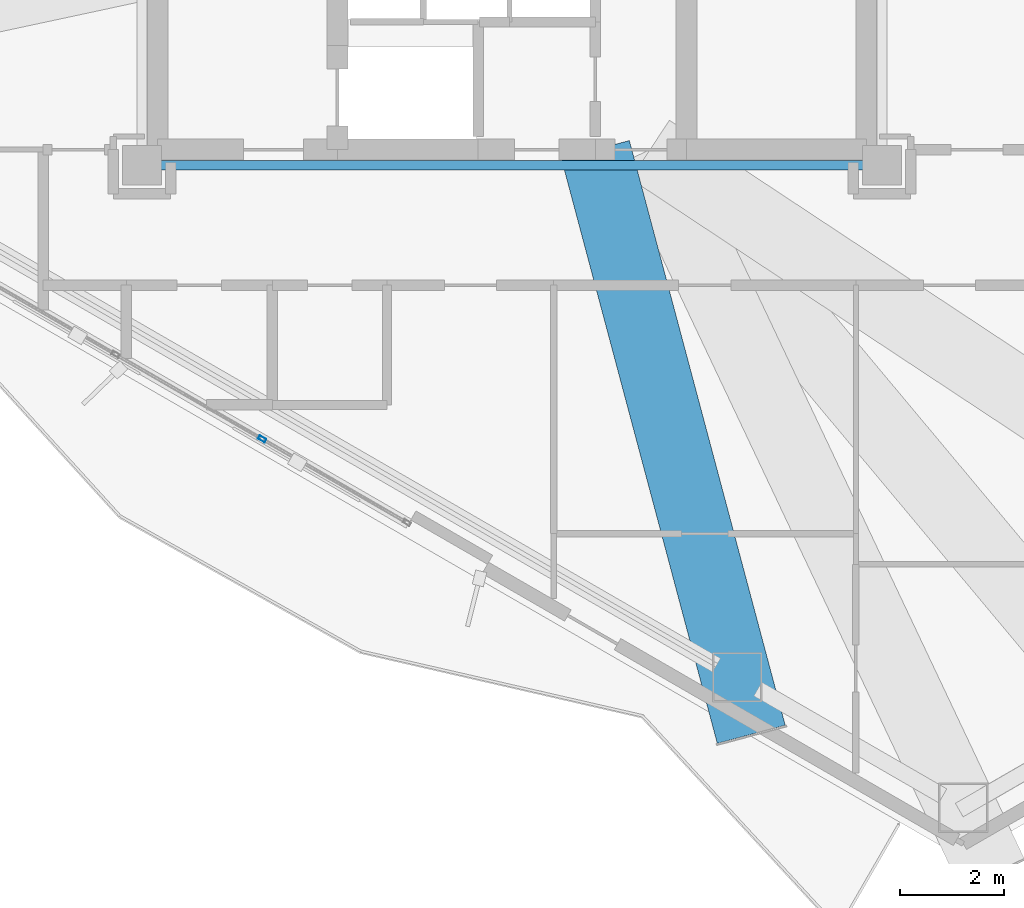
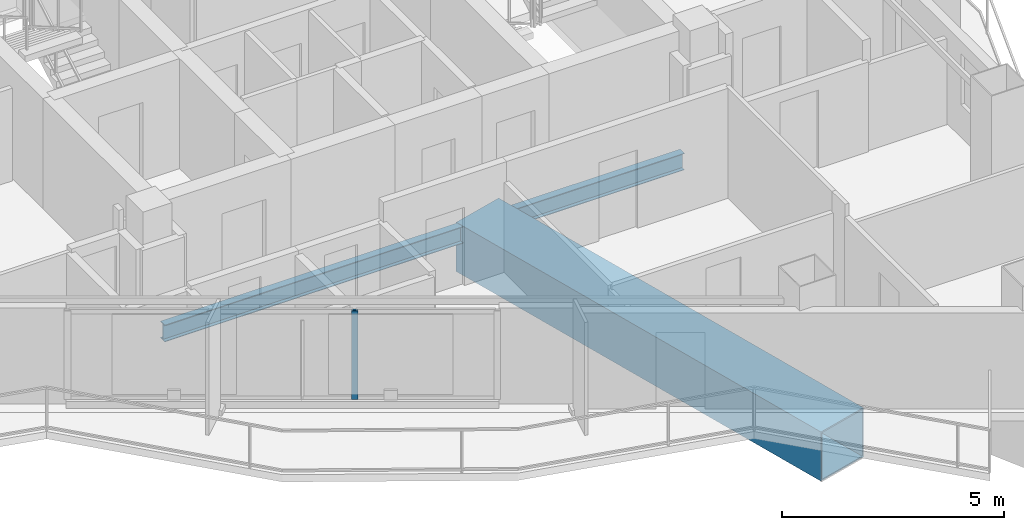
# One storey, part 6 of 22: 2 beams, 1 member, 1 element without a shape of its own.
"""IFC4 building model written with IfcOpenShell, lengths in metres."""

import ifcopenshell
import ifcopenshell.guid

model = None  # the IFC model being written
_history = None  # IfcOwnerHistory: only IFC2X3 demands one
_inside = {}  # id of a spatial element -> (the spatial element, [elements in it])
_under = {}  # id of a project, library or spatial element -> (it, [spatial elements below it])
_declared = {}  # id of a project -> (the project, [libraries it declares])
_typed = {}  # id of a type object -> (the type object, [elements of that type])
_made_of = {}  # id of a material, layer set ... -> (it, [elements and type objects made of it])


def new_model(schema):
    """Start an empty IFC model of exactly this schema.

    Asked for "IFC4X3", IfcOpenShell would pick the latest addendum, in which some entities
    have other attributes; the version numbers below select the first issue.
    IFC2X3 requires an IfcOwnerHistory on every rooted entity: one is made here for all.
    """
    global model, _history
    if schema == "IFC4X3":
        model = ifcopenshell.file(schema_version=(4, 3, 0, 0))
    else:
        model = ifcopenshell.file(schema=schema)
    _inside.clear()
    _under.clear()
    _declared.clear()
    _typed.clear()
    _made_of.clear()
    _history = None
    if model.schema == "IFC2X3":
        org = make("IfcOrganization", Name="unknown")
        user = make(
            "IfcPersonAndOrganization",
            ThePerson=make("IfcPerson", FamilyName="unknown"),
            TheOrganization=org,
        )
        app = make(
            "IfcApplication",
            ApplicationDeveloper=org,
            Version="unknown",
            ApplicationFullName="unknown",
            ApplicationIdentifier="unknown",
        )
        _history = make(
            "IfcOwnerHistory",
            OwningUser=user,
            OwningApplication=app,
            ChangeAction="ADDED",
            CreationDate=0,
        )
    return model


def make(cls, **values):
    """One entity of the class cls with the attributes given. An attribute that is None is left unset."""
    return model.create_entity(
        cls, **{name: value for name, value in values.items() if value is not None}
    )


def rooted(cls, **values):
    """An entity with a GlobalId (a new one), such as an element, a storey or a relation."""
    return make(cls, GlobalId=ifcopenshell.guid.new(), OwnerHistory=_history, **values)


def si_unit(unit_type, name, prefix=None):
    """IfcSIUnit, for example si_unit("LENGTHUNIT", "METRE", prefix="MILLI")."""
    return make("IfcSIUnit", UnitType=unit_type, Prefix=prefix, Name=name)


def assignment(units):
    """IfcUnitAssignment: the units of a project."""
    return None if units is None else make("IfcUnitAssignment", Units=units)


def point(xyz):
    """IfcCartesianPoint."""
    return None if xyz is None else make("IfcCartesianPoint", Coordinates=xyz)


def direction(xyz):
    """IfcDirection."""
    return None if xyz is None else make("IfcDirection", DirectionRatios=xyz)


def frame(location, z_axis=None, x_axis=None):
    """IfcAxis2Placement3D, a coordinate frame: its origin and axes. An axis left out is left unset."""
    return make(
        "IfcAxis2Placement3D",
        Location=point(location),
        Axis=direction(z_axis),
        RefDirection=direction(x_axis),
    )


def frame_2d(location, x_axis=None):
    """IfcAxis2Placement2D, a coordinate frame in the plane: its origin and x axis."""
    return make(
        "IfcAxis2Placement2D", Location=point(location), RefDirection=direction(x_axis)
    )


def origin():
    """The frame at (0, 0, 0) with its axes left unset."""
    return frame((0.0, 0.0, 0.0))


def origin_2d():
    """The frame at (0, 0) in the plane with its x axis left unset."""
    return frame_2d((0.0, 0.0))


def place(relative_to, where):
    """IfcLocalPlacement: puts the frame where relative to a parent placement (None: the world)."""
    return make(
        "IfcLocalPlacement", PlacementRelTo=relative_to, RelativePlacement=where
    )


def context(
    kind, dimensions, precision=None, world=None, true_north=None, identifier=None
):
    """IfcGeometricRepresentationContext, for example the 3D "Model" context."""
    return make(
        "IfcGeometricRepresentationContext",
        ContextIdentifier=identifier,
        ContextType=kind,
        CoordinateSpaceDimension=dimensions,
        Precision=precision,
        WorldCoordinateSystem=world,
        TrueNorth=true_north,
    )


def subcontext(parent, identifier, kind, view, scale=None):
    """IfcGeometricRepresentationSubContext, for example "Body" below "Model"."""
    return make(
        "IfcGeometricRepresentationSubContext",
        ContextIdentifier=identifier,
        ContextType=kind,
        ParentContext=parent,
        TargetScale=scale,
        TargetView=view,
    )


def project(units=None, contexts=None):
    """IfcProject with its units and contexts."""
    return rooted(
        "IfcProject",
        Name="project",
        RepresentationContexts=contexts,
        UnitsInContext=assignment(units),
    )


def spatial(cls, under=None, at=None, **own):
    """A site, building, storey or space (cls), placed at a placement, below another one or the project."""
    s = rooted(cls, ObjectPlacement=at, **own)
    if under is not None:
        _under.setdefault(under.id(), (under, []))[1].append(s)
    return s


def profile(cls, at=None, kind="AREA", **sizes):
    """A parametric profile (cls). Its sizes go by their IFC names, for example OverallWidth=200.0."""
    return make(cls, ProfileType=kind, Position=at, **sizes)


def hollow_rectangle(**sizes):
    """IfcRectangleHollowProfileDef."""
    return profile("IfcRectangleHollowProfileDef", **sizes)


def i_section(**sizes):
    """IfcIShapeProfileDef."""
    return profile("IfcIShapeProfileDef", **sizes)


def extrude(swept, where, along, depth):
    """IfcExtrudedAreaSolid: the profile swept, set in the frame where, extruded along a direction by depth."""
    return make(
        "IfcExtrudedAreaSolid",
        SweptArea=swept,
        Position=where,
        ExtrudedDirection=direction(along),
        Depth=depth,
    )


def shape(context_of_items, identifier, shape_type, items):
    """IfcShapeRepresentation: the items that make up one representation, for example the "Body"."""
    return make(
        "IfcShapeRepresentation",
        ContextOfItems=context_of_items,
        RepresentationIdentifier=identifier,
        RepresentationType=shape_type,
        Items=items,
    )


def material(Name=None, Category=None):
    """IfcMaterial."""
    return make("IfcMaterial", Name=Name, Category=Category)


def layer(
    of_material, thickness, ventilated=None, Name=None, Category=None, Priority=None
):
    """IfcMaterialLayer: one layer of a wall or slab, of a material (None: an air gap)."""
    return make(
        "IfcMaterialLayer",
        Material=of_material,
        LayerThickness=thickness,
        IsVentilated=ventilated,
        Name=Name,
        Category=Category,
        Priority=Priority,
    )


def layer_set(layers, Name=None):
    """IfcMaterialLayerSet."""
    return make("IfcMaterialLayerSet", MaterialLayers=layers, LayerSetName=Name)


def material_profile(
    of_material, cross_section, Name=None, Category=None, Priority=None
):
    """IfcMaterialProfile: a cross section and its material."""
    return make(
        "IfcMaterialProfile",
        Name=Name,
        Material=of_material,
        Profile=cross_section,
        Priority=Priority,
        Category=Category,
    )


def profile_set(profiles, Name=None, composite=None):
    """IfcMaterialProfileSet."""
    return make(
        "IfcMaterialProfileSet",
        Name=Name,
        MaterialProfiles=profiles,
        CompositeProfile=composite,
    )


def made_of(thing, what):
    """Note that an element or type object is made of a material, layer set ...; save() writes the relation."""
    if what is not None:
        _made_of.setdefault(what.id(), (what, []))[1].append(thing)
    return thing


def type_object(cls, material=None, **own):
    """A type object (cls), such as IfcWallType, which elements share."""
    return made_of(rooted(cls, **own), material)


def element(
    cls,
    number,
    at=None,
    inside=None,
    cuts=None,
    type_object=None,
    material=None,
    context=None,
    identifier="Body",
    shape_type=None,
    held_by="IfcProductDefinitionShape",
    body=None,
    shapes=None,
    **own,
):
    """One element of the class cls, such as IfcWall. Its Tag is "e" and its number.

    at: its placement. inside: the storey or other place that contains it. cuts: it is an
    opening in that element (IfcRelVoidsElement). A single representation is given by context,
    identifier, shape_type and body (its items); several are given by shapes. held_by: the class
    of the entity that holds the representations. save() writes the other relations.
    """
    e = rooted(cls, Tag="e%d" % number, ObjectPlacement=at, **own)
    if body is not None:
        shapes = [shape(context, identifier, shape_type, body)]
    if shapes is not None:
        e.Representation = make(held_by, Representations=shapes)
    if inside is not None:
        _inside.setdefault(inside.id(), (inside, []))[1].append(e)
    if cuts is not None:
        rooted(
            "IfcRelVoidsElement", RelatingBuildingElement=cuts, RelatedOpeningElement=e
        )
    if type_object is not None:
        _typed.setdefault(type_object.id(), (type_object, []))[1].append(e)
    return made_of(e, material)


def aggregate(whole, parts):
    """IfcRelAggregates: a whole, such as a stair, and the parts it consists of."""
    return rooted("IfcRelAggregates", RelatingObject=whole, RelatedObjects=parts)


def save(model, path):
    """Write the relations noted so far, then the file.

    IfcRelAggregates (storeys below a building ...), IfcRelContainedInSpatialStructure (elements
    in a storey), IfcRelDefinesByType, IfcRelAssociatesMaterial and IfcRelDeclares: one each for
    every whole, place, type object, material and project.
    """
    for whole, parts in _under.values():
        aggregate(whole, parts)
    for where, things in _inside.values():
        rooted(
            "IfcRelContainedInSpatialStructure",
            RelatedElements=things,
            RelatingStructure=where,
        )
    for kind, things in _typed.values():
        rooted("IfcRelDefinesByType", RelatedObjects=things, RelatingType=kind)
    for what, things in _made_of.values():
        rooted("IfcRelAssociatesMaterial", RelatedObjects=things, RelatingMaterial=what)
    for by, libraries in _declared.values():
        rooted("IfcRelDeclares", RelatingContext=by, RelatedDefinitions=libraries)
    model.write(path)


model = new_model("IFC4")

# Units and contexts
model_context = context("Model", 3, precision=1e-05, world=origin(), true_north=direction((0.0, 1.0)))
body_context = subcontext(model_context, "Body", "Model", "MODEL_VIEW")
ifc_project = project(units=[si_unit("LENGTHUNIT", "METRE"), si_unit("AREAUNIT", "SQUARE_METRE"), si_unit("VOLUMEUNIT", "CUBIC_METRE"), si_unit("PLANEANGLEUNIT", "RADIAN"), si_unit("MASSUNIT", "GRAM", prefix="KILO")], contexts=[model_context])

# Site, building, storey
site_placement = place(None, origin())
site = spatial("IfcSite", under=ifc_project, at=site_placement, CompositionType="ELEMENT")
building_placement = place(site_placement, origin())
building = spatial("IfcBuilding", under=site, at=building_placement, Name="Mersakhor Tower and Convention Hall", CompositionType="ELEMENT")
storey_placement = place(building_placement, frame((0.0, 0.0, 167.39990234375)))
storey = spatial("IfcBuildingStorey", under=building, at=storey_placement, Name="L46", CompositionType="ELEMENT", Elevation=167.39990234375)

# Beams
ifc_material_1 = material(Name="Steel S355", Category="steel")
ifc_material_profile_1 = material_profile(ifc_material_1, i_section(OverallWidth=0.19140625, OverallDepth=0.4599609375, WebThickness=0.010009765625, FlangeThickness=0.01611328125, at=origin_2d()), Name="UB 457x191x82")
ifc_profile_set_1 = profile_set([ifc_material_profile_1], Name="Steel S355")
beam_type_1 = type_object("IfcBeamType", Name="BM-FB-457", PredefinedType="BEAM", material=ifc_profile_set_1)
beam_1_placement = place(storey_placement, frame((35.7451171875, 20.449951171875, -0.4599609375), z_axis=(-1.0, 0.0, 0.0), x_axis=(0.0, -1.0, 0.0)))
element("IfcBeam", 1, at=beam_1_placement, inside=storey, type_object=beam_type_1, Name="L46 Core Ring Tie Beam CRB-4", PredefinedType="BEAM", context=body_context, shape_type="SweptSolid", body=[
    extrude(i_section(OverallWidth=0.19140625, OverallDepth=0.4599609375, WebThickness=0.010009765625, FlangeThickness=0.01611328125, at=origin_2d()), origin(), (0.0, 0.0, 1.0), 13.490234375),
])
ifc_material_2 = material(Name="Steel S460", Category="steel")
ifc_material_profile_2 = material_profile(ifc_material_2, hollow_rectangle(XDim=1.35009765625, YDim=1.35009765625, WallThickness=0.035888671875, at=origin_2d()), Name="SHS 1350x1350x36")
ifc_profile_set_2 = profile_set([ifc_material_profile_2], Name="Steel S460")
beam_type_2 = type_object("IfcBeamType", Name="BM-TR-BOX1350", PredefinedType="BEAM", material=ifc_profile_set_2)
beam_2_placement = place(storey_placement, frame((33.592529296875, 9.527099609375, -0.90478515625), z_axis=(-0.257654801014, 0.966237032779, 0.0), x_axis=(-0.966237032779, -0.257654801014, 0.0)))
element("IfcBeam", 2, at=beam_2_placement, inside=storey, type_object=beam_type_2, Name="L46 Taper Step Transfer Girder STG-10", PredefinedType="BEAM", context=body_context, shape_type="SweptSolid", body=[
    extrude(hollow_rectangle(XDim=1.35009765625, YDim=1.35009765625, WallThickness=0.035888671875, at=origin_2d()), origin(), (0.0, 0.0, 1.0), 11.614990234375),
])

# Curtain wall, member
ifc_material_3 = material(Name="Dark solar low-E aluminium curtain wall", Category="aluminium")
ifc_layer = layer(ifc_material_3, 0.169921875)
ifc_layer_set = layer_set([ifc_layer], Name="Dark solar low-E aluminium curtain wall")
curtain_wall_type = type_object("IfcCurtainWallType", Name="CW-SYS-02", PredefinedType="USERDEFINED", material=ifc_layer_set)
curtain_wall_placement = place(storey_placement, origin())
curtain_wall = element("IfcCurtainWall", 3, at=curtain_wall_placement, inside=storey, type_object=curtain_wall_type, Name="L46 Dark-Glass Curtain Wall F3-B2", ObjectType="CURTAIN WALL", PredefinedType="USERDEFINED")
ifc_material_4 = material(Name="Anodised aluminium EN AW-6063 T6", Category="aluminium")
ifc_material_profile_3 = material_profile(ifc_material_4, hollow_rectangle(XDim=0.074951171875, YDim=0.14990234375, WallThickness=0.00634765625, at=origin_2d()), Name="RHS 150x75x6.3")
ifc_profile_set_3 = profile_set([ifc_material_profile_3], Name="Anodised aluminium EN AW-6063 T6")
member_type = type_object("IfcMemberType", Name="CWM-150x75", PredefinedType="MULLION", material=ifc_profile_set_3)
member_placement = place(storey_placement, frame((24.204345703125, 15.196044921875, 0.2001953125), z_axis=(0.0, 0.0, 1.0), x_axis=(-0.499998484116, -0.866026278978, 0.0)))
member = element("IfcMember", 4, at=member_placement, type_object=member_type, Name="CW-02 mullion 2", PredefinedType="MULLION", context=body_context, shape_type="SweptSolid", body=[
    extrude(hollow_rectangle(XDim=0.074951171875, YDim=0.14990234375, WallThickness=0.00634765625, at=origin_2d()), origin(), (0.0, 0.0, 1.0), 2.43994140625),
])
aggregate(curtain_wall, [member])

save(model, "model.ifc")
